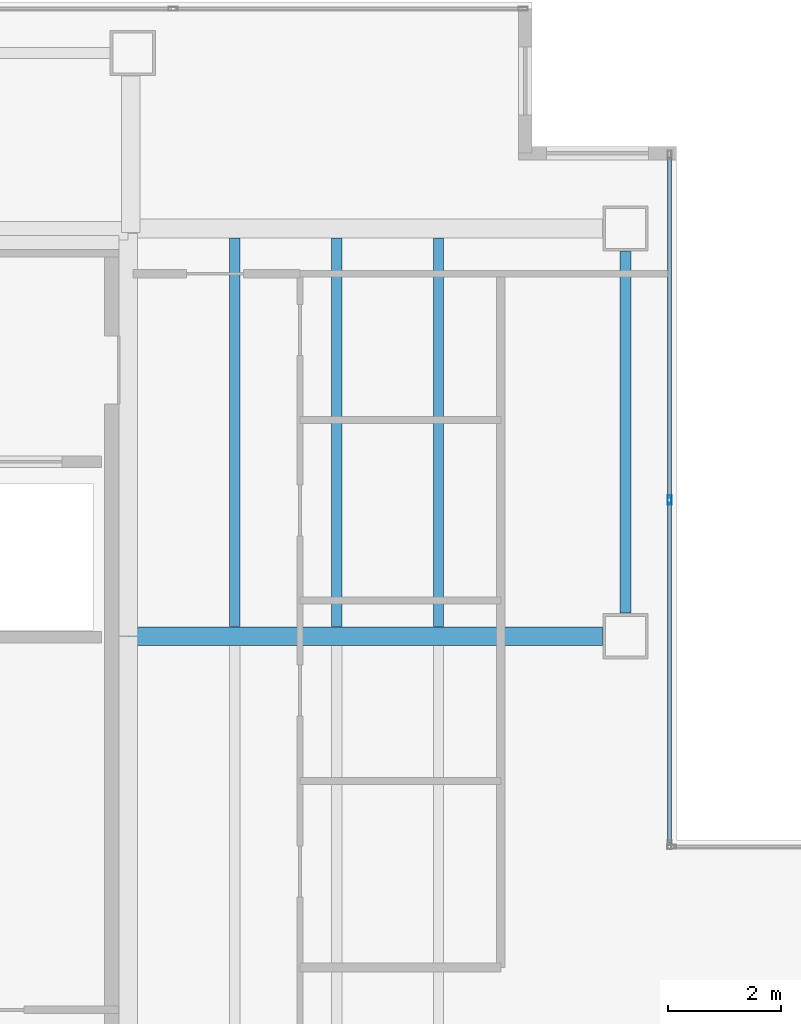
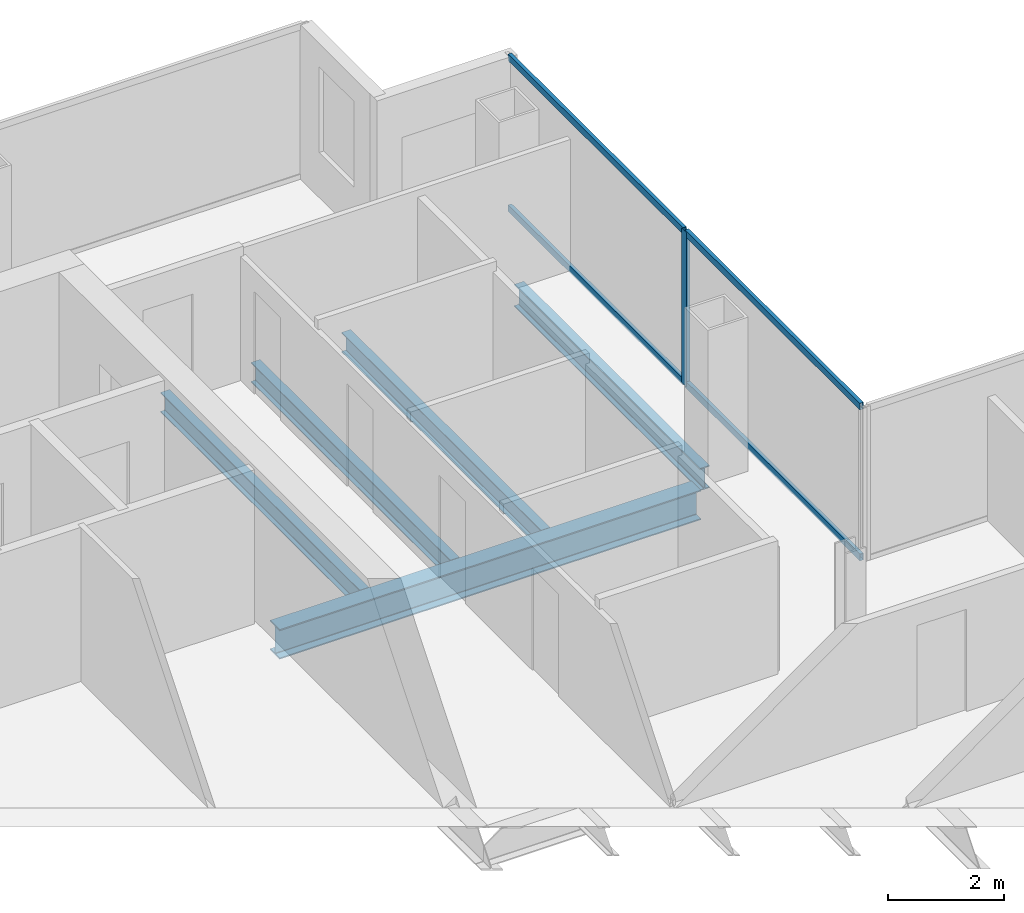
# One storey, part 9 of 23: 5 beams, 5 members, 1 element without a shape of its own.
"""IFC4 building model written with IfcOpenShell, lengths in metres."""

from ifc_helpers import new_model, si_unit, direction, frame, origin, origin_2d, place, context, subcontext, project, spatial, hollow_rectangle, i_section, extrude, material, material_profile, profile_set, type_object, element, aggregate, save


model = new_model("IFC4")

# Units and contexts
model_context = context("Model", 3, precision=1e-05, world=origin(), true_north=direction((0.0, 1.0)))
body_context = subcontext(model_context, "Body", "Model", "MODEL_VIEW")
ifc_project = project(units=[si_unit("LENGTHUNIT", "METRE"), si_unit("AREAUNIT", "SQUARE_METRE"), si_unit("VOLUMEUNIT", "CUBIC_METRE"), si_unit("PLANEANGLEUNIT", "RADIAN"), si_unit("MASSUNIT", "GRAM", prefix="KILO")], contexts=[model_context])

# Site, building, storey
site_placement = place(None, origin())
site = spatial("IfcSite", under=ifc_project, at=site_placement, CompositionType="ELEMENT")
building_placement = place(site_placement, origin())
building = spatial("IfcBuilding", under=site, at=building_placement, Name="Cobrela Telecom Tower", CompositionType="ELEMENT")
storey_placement = place(building_placement, frame((0.0, 0.0, 190.75)))
storey = spatial("IfcBuildingStorey", under=building, at=storey_placement, Name="L48", CompositionType="ELEMENT", Elevation=190.75)

# Beams
ifc_material_1 = material(Name="Steel ASTM A992 Grade 50", Category="steel")
ifc_material_profile_1 = material_profile(ifc_material_1, i_section(OverallWidth=0.327880859375, OverallDepth=0.6220703125, WebThickness=0.015380859375, FlangeThickness=0.0244140625, FilletRadius=0.014892578125, at=origin_2d()), Name="W24X131")
ifc_profile_set_1 = profile_set([ifc_material_profile_1], Name="Steel ASTM A992 Grade 50")
beam_type_1 = type_object("IfcBeamType", Name="BM-GIRD-06", PredefinedType="USERDEFINED", material=ifc_profile_set_1)
beam_1_placement = place(storey_placement, frame((14.324951171875, 28.800048828125, -0.571044921875), z_axis=(1.0, 0.0, 0.0), x_axis=(0.0, 1.0, 0.0)))
element("IfcBeam", 1, at=beam_1_placement, inside=storey, type_object=beam_type_1, Name="L48 Primary Girder X19", ObjectType="GIRDER", PredefinedType="USERDEFINED", context=body_context, shape_type="SweptSolid", body=[
    extrude(i_section(OverallWidth=0.327880859375, OverallDepth=0.6220703125, WebThickness=0.015380859375, FlangeThickness=0.0244140625, FilletRadius=0.014892578125, at=origin_2d()), origin(), (0.0, 0.0, 1.0), 8.3701171875),
])
ifc_material_profile_2 = material_profile(ifc_material_1, i_section(OverallWidth=0.179931640625, OverallDepth=0.4169921875, WebThickness=0.010986328125, FlangeThickness=0.01806640625, FilletRadius=0.011962890625, at=origin_2d()), Name="W16X57")
ifc_profile_set_2 = profile_set([ifc_material_profile_2], Name="Steel ASTM A992 Grade 50")
beam_type_2 = type_object("IfcBeamType", Name="BM-JOIST-04", PredefinedType="JOIST", material=ifc_profile_set_2)
for number, where, z_axis, x_axis, name in (
    (2, (16.199951171875, 28.968994140625, -0.468505859375), (0.0, 1.0, 0.0), (-1.0, 0.0, 0.0), "L48 Secondary Composite Floor Beam J04"),
    (3, (18.0, 28.968994140625, -0.468505859375), (0.0, 1.0, 0.0), (-1.0, 0.0, 0.0), "L48 Secondary Composite Floor Beam J08"),
    (4, (19.800048828125, 28.968994140625, -0.468505859375), (0.0, 1.0, 0.0), (-1.0, 0.0, 0.0), "L48 Secondary Composite Floor Beam J12"),
):
    element("IfcBeam", number, at=place(storey_placement, frame(where, z_axis=z_axis, x_axis=x_axis)), inside=storey, type_object=beam_type_2, Name=name, PredefinedType="JOIST", context=body_context, shape_type="SweptSolid", body=[
        extrude(i_section(OverallWidth=0.179931640625, OverallDepth=0.4169921875, WebThickness=0.010986328125, FlangeThickness=0.01806640625, FilletRadius=0.011962890625, at=origin_2d()), origin(), (0.0, 0.0, 1.0), 6.862060546875),
    ])
ifc_material_profile_3 = material_profile(ifc_material_1, i_section(OverallWidth=0.193115234375, OverallDepth=0.467041015625, WebThickness=0.011474609375, FlangeThickness=0.01904296875, FilletRadius=0.012939453125, at=origin_2d()), Name="W18X65")
ifc_profile_set_3 = profile_set([ifc_material_profile_3], Name="Steel ASTM A992 Grade 50")
beam_type_3 = type_object("IfcBeamType", Name="BM-SPAND-05", PredefinedType="SPANDREL", material=ifc_profile_set_3)
beam_2_placement = place(storey_placement, frame((23.10009765625, 29.205078125, -0.493408203125), z_axis=(0.0, 1.0, 0.0), x_axis=(-1.0, 0.0, 0.0)))
element("IfcBeam", 5, at=beam_2_placement, inside=storey, type_object=beam_type_3, Name="L48 Perimeter Spandrel Y35", PredefinedType="SPANDREL", context=body_context, shape_type="SweptSolid", body=[
    extrude(i_section(OverallWidth=0.193115234375, OverallDepth=0.467041015625, WebThickness=0.011474609375, FlangeThickness=0.01904296875, FilletRadius=0.012939453125, at=origin_2d()), origin(), (0.0, 0.0, 1.0), 6.389892578125),
])

# Curtain wall, members
ifc_material_2 = material(Name="Anodized Bronze Aluminium 6063-T6", Category="aluminium")
curtain_wall_type = type_object("IfcCurtainWallType", Name="CW-SYS-OFF-LO", PredefinedType="USERDEFINED", material=ifc_material_2)
curtain_wall_placement = place(storey_placement, origin())
curtain_wall = element("IfcCurtainWall", 6, at=curtain_wall_placement, inside=storey, type_object=curtain_wall_type, Name="L48 Unitised Bronze Curtain Wall 10", ObjectType="UNITISED CURTAIN WALL", PredefinedType="USERDEFINED")
ifc_material_profile_4 = material_profile(ifc_material_2, hollow_rectangle(XDim=0.070068359375, YDim=0.159912109375, WallThickness=0.00390625, at=origin_2d()), Name="ALU 70x160x4")
ifc_profile_set_4 = profile_set([ifc_material_profile_4], Name="Anodized Bronze Aluminium 6063-T6")
member_type_1 = type_object("IfcMemberType", Name="CW-SYS-OFF-LO-MUL", PredefinedType="MULLION", material=ifc_profile_set_4)
member_1_placement = place(storey_placement, frame((23.8798828125, 31.205078125, 0.0), z_axis=(0.0, 0.0, 1.0), x_axis=(1.0, 0.0, 0.0)))
member_1 = element("IfcMember", 7, at=member_1_placement, type_object=member_type_1, Name="CW-OFF-LO mullion 2", PredefinedType="MULLION", context=body_context, shape_type="SweptSolid", body=[
    extrude(hollow_rectangle(XDim=0.070068359375, YDim=0.159912109375, WallThickness=0.00390625, at=origin_2d()), origin(), (0.0, 0.0, 1.0), 3.239990234375),
])
ifc_material_profile_5 = material_profile(ifc_material_2, hollow_rectangle(XDim=0.070068359375, YDim=0.139892578125, WallThickness=0.00390625, at=origin_2d()), Name="ALU 70x140x4")
ifc_profile_set_5 = profile_set([ifc_material_profile_5], Name="Anodized Bronze Aluminium 6063-T6")
member_type_2 = type_object("IfcMemberType", Name="CW-SYS-OFF-LO-TRN", PredefinedType="USERDEFINED", material=ifc_profile_set_5)
member_2_placement = place(storey_placement, frame((23.8798828125, 37.260009765625, 0.034912109375), z_axis=(0.0, -1.0, 0.0), x_axis=(1.0, 0.0, 0.0)))
member_2 = element("IfcMember", 8, at=member_2_placement, type_object=member_type_2, Name="CW-OFF-LO transom 1.1", ObjectType="TRANSOM", PredefinedType="USERDEFINED", context=body_context, shape_type="SweptSolid", body=[
    extrude(hollow_rectangle(XDim=0.070068359375, YDim=0.139892578125, WallThickness=0.00390625, at=origin_2d()), origin(), (0.0, 0.0, 1.0), 6.02001953125),
])
member_3_placement = place(storey_placement, frame((23.8798828125, 37.260009765625, 3.205078125), z_axis=(0.0, -1.0, 0.0), x_axis=(1.0, 0.0, 0.0)))
member_3 = element("IfcMember", 9, at=member_3_placement, type_object=member_type_2, Name="CW-OFF-LO transom 1.2", ObjectType="TRANSOM", PredefinedType="USERDEFINED", context=body_context, shape_type="SweptSolid", body=[
    extrude(hollow_rectangle(XDim=0.070068359375, YDim=0.139892578125, WallThickness=0.00390625, at=origin_2d()), origin(), (0.0, 0.0, 1.0), 6.02001953125),
])
member_4_placement = place(storey_placement, frame((23.8798828125, 31.169921875, 0.034912109375), z_axis=(0.0, -1.0, 0.0), x_axis=(1.0, 0.0, 0.0)))
member_4 = element("IfcMember", 10, at=member_4_placement, type_object=member_type_2, Name="CW-OFF-LO transom 2.1", ObjectType="TRANSOM", PredefinedType="USERDEFINED", context=body_context, shape_type="SweptSolid", body=[
    extrude(hollow_rectangle(XDim=0.070068359375, YDim=0.139892578125, WallThickness=0.00390625, at=origin_2d()), origin(), (0.0, 0.0, 1.0), 6.02001953125),
])
member_5_placement = place(storey_placement, frame((23.8798828125, 31.169921875, 3.205078125), z_axis=(0.0, -1.0, 0.0), x_axis=(1.0, 0.0, 0.0)))
member_5 = element("IfcMember", 11, at=member_5_placement, type_object=member_type_2, Name="CW-OFF-LO transom 2.2", ObjectType="TRANSOM", PredefinedType="USERDEFINED", context=body_context, shape_type="SweptSolid", body=[
    extrude(hollow_rectangle(XDim=0.070068359375, YDim=0.139892578125, WallThickness=0.00390625, at=origin_2d()), origin(), (0.0, 0.0, 1.0), 6.02001953125),
])
aggregate(curtain_wall, [member_1, member_2, member_3, member_4, member_5])

save(model, "model.ifc")
